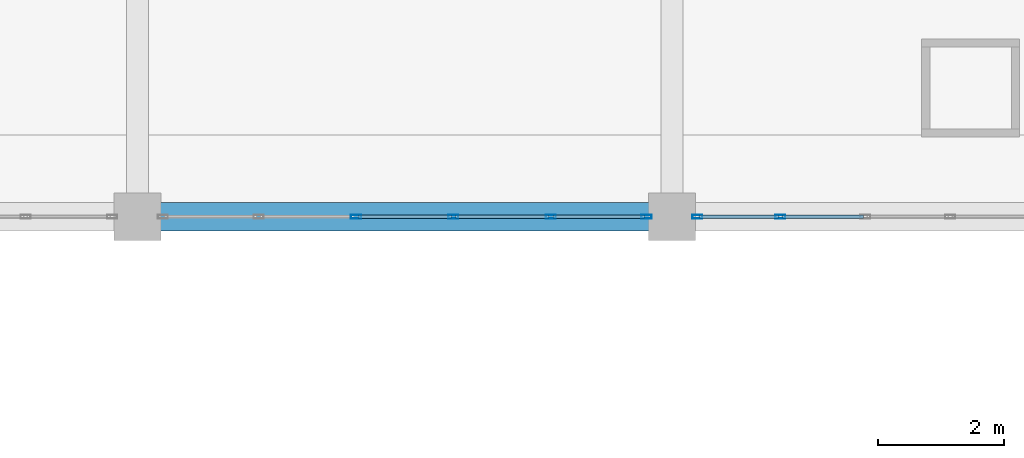
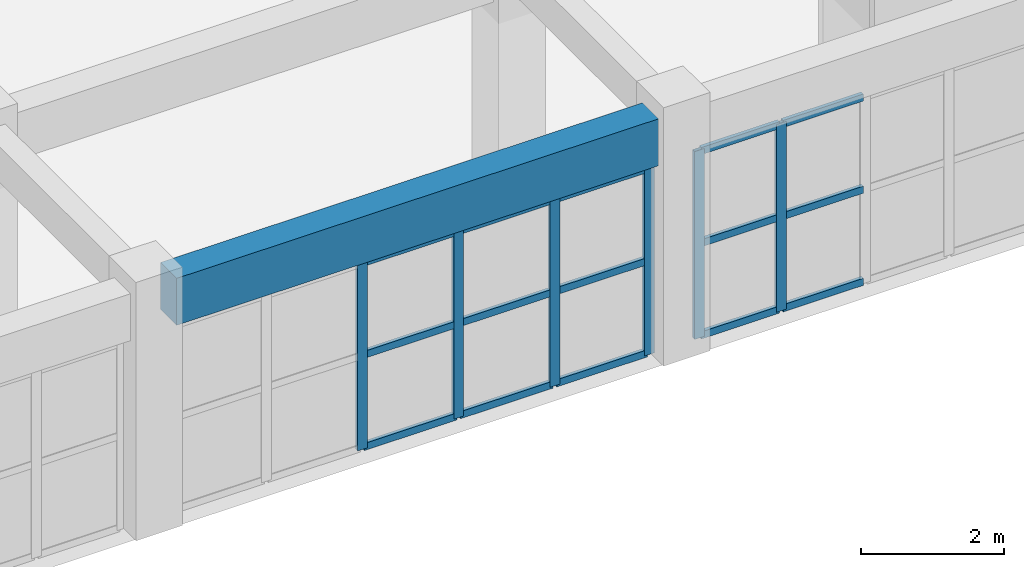
# One storey, part 68 of 116: 21 members, 1 beam, 2 elements without a shape of their own.
"""IFC4 building model written with IfcOpenShell, lengths in metres."""

from ifc_helpers import new_model, si_unit, direction, frame, origin, origin_2d, place, context, subcontext, project, spatial, rectangle, hollow_rectangle, extrude, material, layer, layer_set, material_profile, profile_set, type_object, element, aggregate, save


model = new_model("IFC4")

# Units and contexts
model_context = context("Model", 3, precision=1e-05, world=origin(), true_north=direction((0.0, 1.0)))
body_context = subcontext(model_context, "Body", "Model", "MODEL_VIEW")
ifc_project = project(units=[si_unit("LENGTHUNIT", "METRE"), si_unit("AREAUNIT", "SQUARE_METRE"), si_unit("VOLUMEUNIT", "CUBIC_METRE"), si_unit("PLANEANGLEUNIT", "RADIAN"), si_unit("MASSUNIT", "GRAM", prefix="KILO")], contexts=[model_context])

# Site, building, storey
site_placement = place(None, origin())
site = spatial("IfcSite", under=ifc_project, at=site_placement, CompositionType="ELEMENT")
building_placement = place(site_placement, origin())
building = spatial("IfcBuilding", under=site, at=building_placement, Name="Muzn Square Opera House", CompositionType="ELEMENT")
storey_placement = place(building_placement, frame((0.0, 0.0, 5.39990234375)))
storey = spatial("IfcBuildingStorey", under=building, at=storey_placement, Name="L01", CompositionType="ELEMENT", Elevation=5.39990234375)

# Curtain wall, members
ifc_material_1 = material(Name="Low-E laminated acoustic double glazing", Category="glass")
ifc_layer_1 = layer(ifc_material_1, 0.159912109375, Name="Low-E laminated acoustic double glazing", Category="glass")
ifc_layer_set_1 = layer_set([ifc_layer_1], Name="Low-E laminated acoustic double glazing")
curtain_wall_type_1 = type_object("IfcCurtainWallType", Name="Glazed Curtain Wall EastCloisterN 7750x3200", PredefinedType="USERDEFINED", material=ifc_layer_set_1)
curtain_wall_1_placement = place(storey_placement, origin())
curtain_wall_1 = element("IfcCurtainWall", 1, at=curtain_wall_1_placement, inside=storey, type_object=curtain_wall_type_1, Name="Glazed Curtain Wall CW-L01-090", ObjectType="GLAZED CURTAIN WALL", PredefinedType="USERDEFINED")
ifc_material_2 = material(Name="Anodised bronze aluminium 6063-T6", Category="metal")
ifc_material_profile_1 = material_profile(ifc_material_2, hollow_rectangle(XDim=0.06005859375, YDim=0.159912109375, WallThickness=0.00390625, at=origin_2d()), Name="ALU 160x60x4", Category="metal")
ifc_profile_set_1 = profile_set([ifc_material_profile_1], Name="Anodised bronze aluminium 6063-T6")
member_type_1 = type_object("IfcMemberType", Name="Curtain Wall Mullion 160x60", PredefinedType="MULLION", material=ifc_profile_set_1)
member_1_placement = place(storey_placement, frame((144.47509765625, 54.199951171875, 0.0), z_axis=(0.0, 0.0, 1.0), x_axis=(0.0, 1.0, 0.0)))
member_1 = element("IfcMember", 2, at=member_1_placement, type_object=member_type_1, Name="CW-ECN-77x32 mullion 3", PredefinedType="MULLION", context=body_context, shape_type="SweptSolid", body=[
    extrude(hollow_rectangle(XDim=0.06005859375, YDim=0.159912109375, WallThickness=0.00390625, at=origin_2d()), origin(), (0.0, 0.0, 1.0), 3.2001953125),
])
member_2_placement = place(storey_placement, frame((146.02490234375, 54.199951171875, 0.0), z_axis=(0.0, 0.0, 1.0), x_axis=(0.0, 1.0, 0.0)))
member_2 = element("IfcMember", 3, at=member_2_placement, type_object=member_type_1, Name="CW-ECN-77x32 mullion 4", PredefinedType="MULLION", context=body_context, shape_type="SweptSolid", body=[
    extrude(hollow_rectangle(XDim=0.06005859375, YDim=0.159912109375, WallThickness=0.00390625, at=origin_2d()), origin(), (0.0, 0.0, 1.0), 3.2001953125),
])
member_3_placement = place(storey_placement, frame((147.574951171875, 54.199951171875, 0.0), z_axis=(0.0, 0.0, 1.0), x_axis=(0.0, 1.0, 0.0)))
member_3 = element("IfcMember", 4, at=member_3_placement, type_object=member_type_1, Name="CW-ECN-77x32 mullion 5", PredefinedType="MULLION", context=body_context, shape_type="SweptSolid", body=[
    extrude(hollow_rectangle(XDim=0.06005859375, YDim=0.159912109375, WallThickness=0.00390625, at=origin_2d()), origin(), (0.0, 0.0, 1.0), 3.2001953125),
])
member_4_placement = place(storey_placement, frame((149.094970703125, 54.199951171875, 0.0), z_axis=(0.0, 0.0, 1.0), x_axis=(0.0, 1.0, 0.0)))
member_4 = element("IfcMember", 5, at=member_4_placement, type_object=member_type_1, Name="CW-ECN-77x32 mullion 6", PredefinedType="MULLION", context=body_context, shape_type="SweptSolid", body=[
    extrude(hollow_rectangle(XDim=0.06005859375, YDim=0.159912109375, WallThickness=0.00390625, at=origin_2d()), origin(), (0.0, 0.0, 1.0), 3.2001953125),
])

ifc_layer_2 = layer(ifc_material_1, 0.159912109375, Name="Low-E laminated acoustic double glazing", Category="glass")
ifc_layer_set_2 = layer_set([ifc_layer_2], Name="Low-E laminated acoustic double glazing")
curtain_wall_type_2 = type_object("IfcCurtainWallType", Name="Glazed Curtain Wall EastCloisterN 6750x3200", PredefinedType="USERDEFINED", material=ifc_layer_set_2)
curtain_wall_2_placement = place(storey_placement, origin())
curtain_wall_2 = element("IfcCurtainWall", 6, at=curtain_wall_2_placement, inside=storey, type_object=curtain_wall_type_2, Name="Glazed Curtain Wall CW-L01-092", ObjectType="GLAZED CURTAIN WALL", PredefinedType="USERDEFINED")
member_5_placement = place(storey_placement, frame((149.905029296875, 54.199951171875, 0.0), z_axis=(0.0, 0.0, 1.0), x_axis=(0.0, 1.0, 0.0)))
member_5 = element("IfcMember", 7, at=member_5_placement, type_object=member_type_1, Name="CW-ECN-67x32 mullion 1", PredefinedType="MULLION", context=body_context, shape_type="SweptSolid", body=[
    extrude(hollow_rectangle(XDim=0.06005859375, YDim=0.159912109375, WallThickness=0.00390625, at=origin_2d()), origin(), (0.0, 0.0, 1.0), 3.2001953125),
])
member_6_placement = place(storey_placement, frame((151.22509765625, 54.199951171875, 0.0), z_axis=(0.0, 0.0, 1.0), x_axis=(0.0, 1.0, 0.0)))
member_6 = element("IfcMember", 8, at=member_6_placement, type_object=member_type_1, Name="CW-ECN-67x32 mullion 2", PredefinedType="MULLION", context=body_context, shape_type="SweptSolid", body=[
    extrude(hollow_rectangle(XDim=0.06005859375, YDim=0.159912109375, WallThickness=0.00390625, at=origin_2d()), origin(), (0.0, 0.0, 1.0), 3.2001953125),
])

# Member
ifc_material_profile_2 = material_profile(ifc_material_2, hollow_rectangle(XDim=0.06005859375, YDim=0.1201171875, WallThickness=0.00390625, at=origin_2d()), Name="ALU 120x60x4", Category="metal")
ifc_profile_set_2 = profile_set([ifc_material_profile_2], Name="Anodised bronze aluminium 6063-T6")
member_type_2 = type_object("IfcMemberType", Name="Curtain Wall Transom 120x60", PredefinedType="USERDEFINED", material=ifc_profile_set_2)
member_7_placement = place(storey_placement, frame((144.5048828125, 54.199951171875, 0.030029296875), z_axis=(1.0, 0.0, 0.0), x_axis=(0.0, 1.0, 0.0)))
member_7 = element("IfcMember", 9, at=member_7_placement, type_object=member_type_2, Name="CW-ECN-77x32 transom 3.1", ObjectType="TRANSOM", PredefinedType="USERDEFINED", context=body_context, shape_type="SweptSolid", body=[
    extrude(hollow_rectangle(XDim=0.06005859375, YDim=0.1201171875, WallThickness=0.00390625, at=origin_2d()), origin(), (0.0, 0.0, 1.0), 1.490234375),
])

member_8_placement = place(storey_placement, frame((144.5048828125, 54.199951171875, 1.60009765625), z_axis=(1.0, 0.0, 0.0), x_axis=(0.0, 1.0, 0.0)))
member_8 = element("IfcMember", 10, at=member_8_placement, type_object=member_type_2, Name="CW-ECN-77x32 transom 3.2", ObjectType="TRANSOM", PredefinedType="USERDEFINED", context=body_context, shape_type="SweptSolid", body=[
    extrude(hollow_rectangle(XDim=0.06005859375, YDim=0.1201171875, WallThickness=0.00390625, at=origin_2d()), origin(), (0.0, 0.0, 1.0), 1.490234375),
])

member_9_placement = place(storey_placement, frame((144.5048828125, 54.199951171875, 3.170166015625), z_axis=(1.0, 0.0, 0.0), x_axis=(0.0, 1.0, 0.0)))
member_9 = element("IfcMember", 11, at=member_9_placement, type_object=member_type_2, Name="CW-ECN-77x32 transom 3.3", ObjectType="TRANSOM", PredefinedType="USERDEFINED", context=body_context, shape_type="SweptSolid", body=[
    extrude(hollow_rectangle(XDim=0.06005859375, YDim=0.1201171875, WallThickness=0.00390625, at=origin_2d()), origin(), (0.0, 0.0, 1.0), 1.490234375),
])

member_10_placement = place(storey_placement, frame((146.054931640625, 54.199951171875, 0.030029296875), z_axis=(1.0, 0.0, 0.0), x_axis=(0.0, 1.0, 0.0)))
member_10 = element("IfcMember", 12, at=member_10_placement, type_object=member_type_2, Name="CW-ECN-77x32 transom 4.1", ObjectType="TRANSOM", PredefinedType="USERDEFINED", context=body_context, shape_type="SweptSolid", body=[
    extrude(hollow_rectangle(XDim=0.06005859375, YDim=0.1201171875, WallThickness=0.00390625, at=origin_2d()), origin(), (0.0, 0.0, 1.0), 1.489990234375),
])

member_11_placement = place(storey_placement, frame((146.054931640625, 54.199951171875, 1.60009765625), z_axis=(1.0, 0.0, 0.0), x_axis=(0.0, 1.0, 0.0)))
member_11 = element("IfcMember", 13, at=member_11_placement, type_object=member_type_2, Name="CW-ECN-77x32 transom 4.2", ObjectType="TRANSOM", PredefinedType="USERDEFINED", context=body_context, shape_type="SweptSolid", body=[
    extrude(hollow_rectangle(XDim=0.06005859375, YDim=0.1201171875, WallThickness=0.00390625, at=origin_2d()), origin(), (0.0, 0.0, 1.0), 1.489990234375),
])

member_12_placement = place(storey_placement, frame((146.054931640625, 54.199951171875, 3.170166015625), z_axis=(1.0, 0.0, 0.0), x_axis=(0.0, 1.0, 0.0)))
member_12 = element("IfcMember", 14, at=member_12_placement, type_object=member_type_2, Name="CW-ECN-77x32 transom 4.3", ObjectType="TRANSOM", PredefinedType="USERDEFINED", context=body_context, shape_type="SweptSolid", body=[
    extrude(hollow_rectangle(XDim=0.06005859375, YDim=0.1201171875, WallThickness=0.00390625, at=origin_2d()), origin(), (0.0, 0.0, 1.0), 1.489990234375),
])

member_13_placement = place(storey_placement, frame((147.60498046875, 54.199951171875, 0.030029296875), z_axis=(1.0, 0.0, 0.0), x_axis=(0.0, 1.0, 0.0)))
member_13 = element("IfcMember", 15, at=member_13_placement, type_object=member_type_2, Name="CW-ECN-77x32 transom 5.1", ObjectType="TRANSOM", PredefinedType="USERDEFINED", context=body_context, shape_type="SweptSolid", body=[
    extrude(hollow_rectangle(XDim=0.06005859375, YDim=0.1201171875, WallThickness=0.00390625, at=origin_2d()), origin(), (0.0, 0.0, 1.0), 1.4599609375),
])

member_14_placement = place(storey_placement, frame((147.60498046875, 54.199951171875, 1.60009765625), z_axis=(1.0, 0.0, 0.0), x_axis=(0.0, 1.0, 0.0)))
member_14 = element("IfcMember", 16, at=member_14_placement, type_object=member_type_2, Name="CW-ECN-77x32 transom 5.2", ObjectType="TRANSOM", PredefinedType="USERDEFINED", context=body_context, shape_type="SweptSolid", body=[
    extrude(hollow_rectangle(XDim=0.06005859375, YDim=0.1201171875, WallThickness=0.00390625, at=origin_2d()), origin(), (0.0, 0.0, 1.0), 1.4599609375),
])

member_15_placement = place(storey_placement, frame((147.60498046875, 54.199951171875, 3.170166015625), z_axis=(1.0, 0.0, 0.0), x_axis=(0.0, 1.0, 0.0)))
member_15 = element("IfcMember", 17, at=member_15_placement, type_object=member_type_2, Name="CW-ECN-77x32 transom 5.3", ObjectType="TRANSOM", PredefinedType="USERDEFINED", context=body_context, shape_type="SweptSolid", body=[
    extrude(hollow_rectangle(XDim=0.06005859375, YDim=0.1201171875, WallThickness=0.00390625, at=origin_2d()), origin(), (0.0, 0.0, 1.0), 1.4599609375),
])

aggregate(curtain_wall_1, [member_1, member_2, member_3, member_4, member_7, member_8, member_9, member_10, member_11, member_12, member_13, member_14, member_15])

member_16_placement = place(storey_placement, frame((149.93505859375, 54.199951171875, 0.030029296875), z_axis=(1.0, 0.0, 0.0), x_axis=(0.0, 1.0, 0.0)))
member_16 = element("IfcMember", 18, at=member_16_placement, type_object=member_type_2, Name="CW-ECN-67x32 transom 1.1", ObjectType="TRANSOM", PredefinedType="USERDEFINED", context=body_context, shape_type="SweptSolid", body=[
    extrude(hollow_rectangle(XDim=0.06005859375, YDim=0.1201171875, WallThickness=0.00390625, at=origin_2d()), origin(), (0.0, 0.0, 1.0), 1.260009765625),
])

member_17_placement = place(storey_placement, frame((149.93505859375, 54.199951171875, 1.60009765625), z_axis=(1.0, 0.0, 0.0), x_axis=(0.0, 1.0, 0.0)))
member_17 = element("IfcMember", 19, at=member_17_placement, type_object=member_type_2, Name="CW-ECN-67x32 transom 1.2", ObjectType="TRANSOM", PredefinedType="USERDEFINED", context=body_context, shape_type="SweptSolid", body=[
    extrude(hollow_rectangle(XDim=0.06005859375, YDim=0.1201171875, WallThickness=0.00390625, at=origin_2d()), origin(), (0.0, 0.0, 1.0), 1.260009765625),
])

member_18_placement = place(storey_placement, frame((149.93505859375, 54.199951171875, 3.170166015625), z_axis=(1.0, 0.0, 0.0), x_axis=(0.0, 1.0, 0.0)))
member_18 = element("IfcMember", 20, at=member_18_placement, type_object=member_type_2, Name="CW-ECN-67x32 transom 1.3", ObjectType="TRANSOM", PredefinedType="USERDEFINED", context=body_context, shape_type="SweptSolid", body=[
    extrude(hollow_rectangle(XDim=0.06005859375, YDim=0.1201171875, WallThickness=0.00390625, at=origin_2d()), origin(), (0.0, 0.0, 1.0), 1.260009765625),
])

member_19_placement = place(storey_placement, frame((151.2548828125, 54.199951171875, 0.030029296875), z_axis=(1.0, 0.0, 0.0), x_axis=(0.0, 1.0, 0.0)))
member_19 = element("IfcMember", 21, at=member_19_placement, type_object=member_type_2, Name="CW-ECN-67x32 transom 2.1", ObjectType="TRANSOM", PredefinedType="USERDEFINED", context=body_context, shape_type="SweptSolid", body=[
    extrude(hollow_rectangle(XDim=0.06005859375, YDim=0.1201171875, WallThickness=0.00390625, at=origin_2d()), origin(), (0.0, 0.0, 1.0), 1.2900390625),
])

member_20_placement = place(storey_placement, frame((151.2548828125, 54.199951171875, 1.60009765625), z_axis=(1.0, 0.0, 0.0), x_axis=(0.0, 1.0, 0.0)))
member_20 = element("IfcMember", 22, at=member_20_placement, type_object=member_type_2, Name="CW-ECN-67x32 transom 2.2", ObjectType="TRANSOM", PredefinedType="USERDEFINED", context=body_context, shape_type="SweptSolid", body=[
    extrude(hollow_rectangle(XDim=0.06005859375, YDim=0.1201171875, WallThickness=0.00390625, at=origin_2d()), origin(), (0.0, 0.0, 1.0), 1.2900390625),
])

member_21_placement = place(storey_placement, frame((151.2548828125, 54.199951171875, 3.170166015625), z_axis=(1.0, 0.0, 0.0), x_axis=(0.0, 1.0, 0.0)))
member_21 = element("IfcMember", 23, at=member_21_placement, type_object=member_type_2, Name="CW-ECN-67x32 transom 2.3", ObjectType="TRANSOM", PredefinedType="USERDEFINED", context=body_context, shape_type="SweptSolid", body=[
    extrude(hollow_rectangle(XDim=0.06005859375, YDim=0.1201171875, WallThickness=0.00390625, at=origin_2d()), origin(), (0.0, 0.0, 1.0), 1.2900390625),
])

aggregate(curtain_wall_2, [member_5, member_6, member_16, member_17, member_18, member_19, member_20, member_21])

# Beam
ifc_material_3 = material(Name="Concrete C40/50", Category="concrete")
ifc_material_profile_3 = material_profile(ifc_material_3, rectangle(XDim=0.449951171875, YDim=0.800048828125, at=origin_2d()), Name="RCB 450x800", Category="concrete")
ifc_profile_set_3 = profile_set([ifc_material_profile_3], Name="Concrete C40/50")
beam_type = type_object("IfcBeamType", Name="Primary Girder 450x800", PredefinedType="BEAM", material=ifc_profile_set_3)
beam_placement = place(storey_placement, frame((141.366943359375, 54.199951171875, 3.72021484375), z_axis=(1.0, 0.0, 0.0), x_axis=(0.0, 1.0, 0.0)))
element("IfcBeam", 24, at=beam_placement, inside=storey, type_object=beam_type, Name="Primary Girder BM-L01-BM-PG800-1414_542_1491_542-1375", PredefinedType="BEAM", context=body_context, shape_type="SweptSolid", body=[
    extrude(rectangle(XDim=0.449951171875, YDim=0.800048828125, at=origin_2d()), origin(), (0.0, 0.0, 1.0), 7.76611328125),
])

save(model, "model.ifc")
